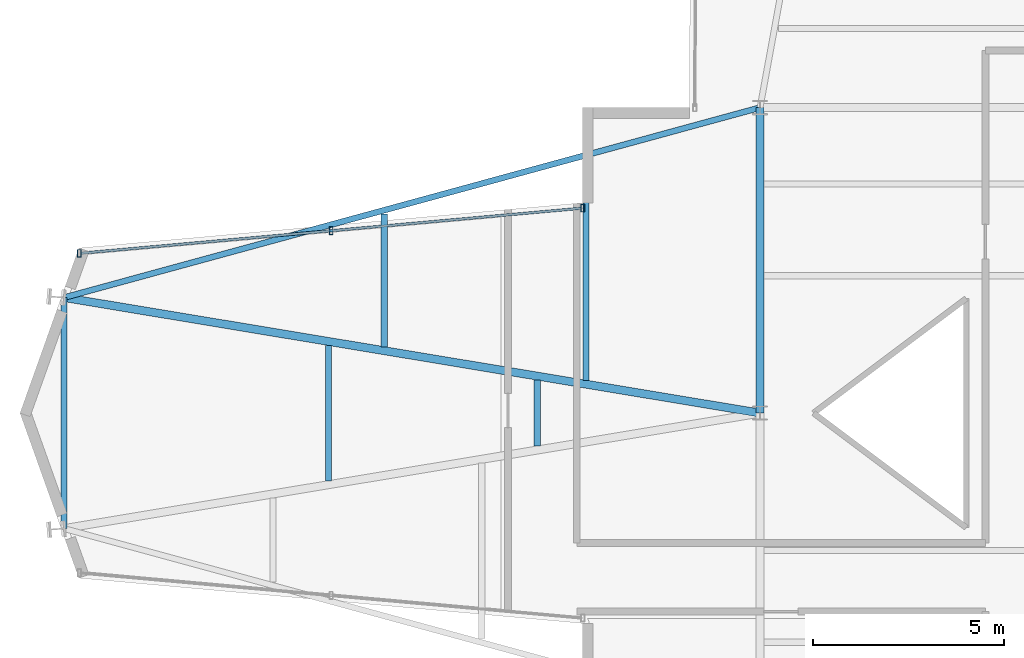
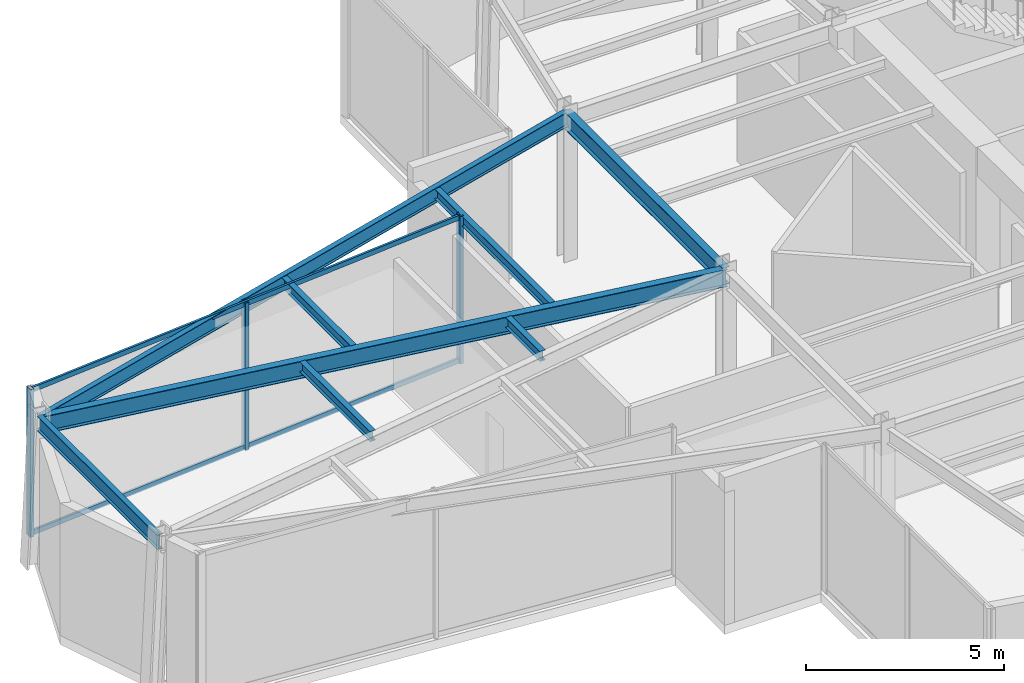
# One storey, part 4 of 14: 8 beams, 5 members, 1 element without a shape of its own.
"""IFC4 building model written with IfcOpenShell, lengths in metres."""

from ifc_helpers import new_model, si_unit, direction, frame, origin, origin_2d, place, context, subcontext, project, spatial, hollow_rectangle, i_section, extrude, material, layer, layer_set, material_profile, profile_set, type_object, element, aggregate, save


model = new_model("IFC4")

# Units and contexts
model_context = context("Model", 3, precision=1e-05, world=origin(), true_north=direction((0.0, 1.0)))
body_context = subcontext(model_context, "Body", "Model", "MODEL_VIEW")
ifc_project = project(units=[si_unit("LENGTHUNIT", "METRE"), si_unit("AREAUNIT", "SQUARE_METRE"), si_unit("VOLUMEUNIT", "CUBIC_METRE"), si_unit("PLANEANGLEUNIT", "RADIAN"), si_unit("MASSUNIT", "GRAM", prefix="KILO")], contexts=[model_context])

# Site, building, storey
site_placement = place(None, origin())
site = spatial("IfcSite", under=ifc_project, at=site_placement, CompositionType="ELEMENT")
building_placement = place(site_placement, origin())
building = spatial("IfcBuilding", under=site, at=building_placement, Name="Veymaron Broadcast Tower", CompositionType="ELEMENT")
storey_placement = place(building_placement, frame((0.0, 0.0, 187.050048828125)))
storey = spatial("IfcBuildingStorey", under=building, at=storey_placement, Name="L43", CompositionType="ELEMENT", Elevation=187.050048828125)

# Beams
ifc_material_1 = material(Name="Structural steel ASTM A992 Gr 50", Category="steel")
ifc_material_profile_1 = material_profile(ifc_material_1, i_section(OverallWidth=0.2099609375, OverallDepth=0.537109375, WebThickness=0.010986328125, FlangeThickness=0.017333984375, at=origin_2d()), Name="W530X101")
ifc_profile_set_1 = profile_set([ifc_material_profile_1], Name="Structural steel ASTM A992 Gr 50")
beam_type_1 = type_object("IfcBeamType", Name="BM-FG3", PredefinedType="BEAM", material=ifc_profile_set_1)
beam_1_placement = place(storey_placement, frame((31.199951171875, 24.0, 4.271484375), z_axis=(0.0, 1.0, 0.0), x_axis=(-1.0, 0.0, 0.0)))
element("IfcBeam", 1, at=beam_1_placement, inside=storey, type_object=beam_type_1, Name="L43 primary structural floor girder", PredefinedType="BEAM", context=body_context, shape_type="SweptSolid", body=[
    extrude(i_section(OverallWidth=0.2099609375, OverallDepth=0.537109375, WebThickness=0.010986328125, FlangeThickness=0.017333984375, at=origin_2d()), origin(), (0.0, 0.0, 1.0), 8.0),
])
beam_2_placement = place(storey_placement, frame((12.97509765625, 27.02490234375, 4.271484375), z_axis=(0.986504066629, -0.163736759843, 0.0), x_axis=(0.163736759843, 0.986504066629, 0.0)))
element("IfcBeam", 2, at=beam_2_placement, inside=storey, type_object=beam_type_1, Name="L43 primary structural floor girder", PredefinedType="BEAM", context=body_context, shape_type="SweptSolid", body=[
    extrude(i_section(OverallWidth=0.2099609375, OverallDepth=0.537109375, WebThickness=0.010986328125, FlangeThickness=0.017333984375, at=origin_2d()), origin(), (0.0, 0.0, 1.0), 18.47412109375),
])
ifc_material_profile_2 = material_profile(ifc_material_1, i_section(OverallWidth=0.1650390625, OverallDepth=0.31005859375, WebThickness=0.005859375, FlangeThickness=0.009765625, at=origin_2d()), Name="W310X39")
ifc_profile_set_2 = profile_set([ifc_material_profile_2], Name="Structural steel ASTM A992 Gr 50")
beam_type_2 = type_object("IfcBeamType", Name="BM-JS3", PredefinedType="JOIST", material=ifc_profile_set_2)
beam_3_placement = place(storey_placement, frame((19.900390625, 22.224609375, 4.385009765625), z_axis=(0.0, 1.0, 0.0), x_axis=(-1.0, 0.0, 0.0)))
element("IfcBeam", 3, at=beam_3_placement, inside=storey, type_object=beam_type_2, Name="L43 Arm-A secondary joist 1M", PredefinedType="JOIST", context=body_context, shape_type="SweptSolid", body=[
    extrude(i_section(OverallWidth=0.1650390625, OverallDepth=0.31005859375, WebThickness=0.005859375, FlangeThickness=0.009765625, at=origin_2d()), origin(), (0.0, 0.0, 1.0), 3.55078125),
])
beam_4_placement = place(storey_placement, frame((21.3583984375, 25.7333984375, 4.385009765625), z_axis=(0.0, 1.0, 0.0), x_axis=(-1.0, 0.0, 0.0)))
element("IfcBeam", 4, at=beam_4_placement, inside=storey, type_object=beam_type_2, Name="L43 Arm-A secondary joist 1N", PredefinedType="JOIST", context=body_context, shape_type="SweptSolid", body=[
    extrude(i_section(OverallWidth=0.1650390625, OverallDepth=0.31005859375, WebThickness=0.005859375, FlangeThickness=0.009765625, at=origin_2d()), origin(), (0.0, 0.0, 1.0), 3.47998046875),
])
beam_5_placement = place(storey_placement, frame((25.367919921875, 23.132080078125, 4.385009765625), z_axis=(0.0, 1.0, 0.0), x_axis=(-1.0, 0.0, 0.0)))
element("IfcBeam", 5, at=beam_5_placement, inside=storey, type_object=beam_type_2, Name="L43 Arm-A secondary joist 2M", PredefinedType="JOIST", context=body_context, shape_type="SweptSolid", body=[
    extrude(i_section(OverallWidth=0.1650390625, OverallDepth=0.31005859375, WebThickness=0.005859375, FlangeThickness=0.009765625, at=origin_2d()), origin(), (0.0, 0.0, 1.0), 1.73583984375),
])
beam_6_placement = place(storey_placement, frame((26.643798828125, 24.856201171875, 4.385009765625), z_axis=(0.0, 1.0, 0.0), x_axis=(-1.0, 0.0, 0.0)))
element("IfcBeam", 6, at=beam_6_placement, inside=storey, type_object=beam_type_2, Name="L43 Arm-A secondary joist 2N", PredefinedType="JOIST", context=body_context, shape_type="SweptSolid", body=[
    extrude(i_section(OverallWidth=0.1650390625, OverallDepth=0.31005859375, WebThickness=0.005859375, FlangeThickness=0.009765625, at=origin_2d()), origin(), (0.0, 0.0, 1.0), 5.800048828125),
])
ifc_material_profile_3 = material_profile(ifc_material_1, i_section(OverallWidth=0.154052734375, OverallDepth=0.458984375, WebThickness=0.009033203125, FlangeThickness=0.015380859375, at=origin_2d()), Name="W460X68")
ifc_profile_set_3 = profile_set([ifc_material_profile_3], Name="Structural steel ASTM A992 Gr 50")
beam_type_3 = type_object("IfcBeamType", Name="BM-SP2", PredefinedType="SPANDREL", material=ifc_profile_set_3)
beam_7_placement = place(storey_placement, frame((12.97509765625, 27.02490234375, 4.310546875), z_axis=(0.964700867806, 0.263348126353, 0.0), x_axis=(-0.263348126353, 0.964700867806, 0.0)))
element("IfcBeam", 7, at=beam_7_placement, inside=storey, type_object=beam_type_3, Name="L43 primary structural floor girder", PredefinedType="SPANDREL", context=body_context, shape_type="SweptSolid", body=[
    extrude(i_section(OverallWidth=0.154052734375, OverallDepth=0.458984375, WebThickness=0.009033203125, FlangeThickness=0.015380859375, at=origin_2d()), origin(), (0.0, 0.0, 1.0), 18.8916015625),
])
beam_8_placement = place(storey_placement, frame((12.97509765625, 20.97509765625, 4.310546875), z_axis=(0.0, 1.0, 0.0), x_axis=(-1.0, 0.0, 0.0)))
element("IfcBeam", 8, at=beam_8_placement, inside=storey, type_object=beam_type_3, Name="L43 primary structural floor girder", PredefinedType="SPANDREL", context=body_context, shape_type="SweptSolid", body=[
    extrude(i_section(OverallWidth=0.154052734375, OverallDepth=0.458984375, WebThickness=0.009033203125, FlangeThickness=0.015380859375, at=origin_2d()), origin(), (0.0, 0.0, 1.0), 6.0498046875),
])

# Curtain wall, members
ifc_material_2 = material(Name="Anodised aluminium AA 6063-T6 and laminated low-E dark glass", Category="aluminium")
ifc_layer = layer(ifc_material_2, 0.179931640625)
ifc_layer_set = layer_set([ifc_layer], Name="Anodised aluminium AA 6063-T6 and laminated low-E dark glass")
curtain_wall_type = type_object("IfcCurtainWallType", Name="CW-SYS-04", PredefinedType="NOTDEFINED", material=ifc_layer_set)
curtain_wall_placement = place(storey_placement, origin())
curtain_wall = element("IfcCurtainWall", 9, at=curtain_wall_placement, inside=storey, type_object=curtain_wall_type, Name="L43 dark-glass curtain wall CW-L43-E11-1", PredefinedType="NOTDEFINED")
ifc_material_3 = material(Name="Anodised aluminium AA 6063-T6", Category="aluminium")
ifc_material_profile_4 = material_profile(ifc_material_3, hollow_rectangle(XDim=0.10009765625, YDim=0.199951171875, WallThickness=0.010009765625, at=origin_2d()), Name="RHS200X100X10")
ifc_profile_set_4 = profile_set([ifc_material_profile_4], Name="Anodised aluminium AA 6063-T6")
member_type_1 = type_object("IfcMemberType", Name="CW-MUL-01", PredefinedType="MULLION", material=ifc_profile_set_4)
member_1_placement = place(storey_placement, frame((26.55810546875, 29.36767578125, 0.0), z_axis=(0.0, 0.0, 1.0), x_axis=(1.0, 0.0, 0.0)))
member_1 = element("IfcMember", 10, at=member_1_placement, type_object=member_type_1, Name="CW-L43-E11-1 mullion 0", PredefinedType="MULLION", context=body_context, shape_type="SweptSolid", body=[
    extrude(hollow_rectangle(XDim=0.10009765625, YDim=0.199951171875, WallThickness=0.010009765625, at=origin_2d()), origin(), (0.0, 0.0, 1.0), 4.5400390625),
])
member_2_placement = place(storey_placement, frame((19.96533203125, 28.775146484375, 0.0), z_axis=(0.0, 0.0, 1.0), x_axis=(1.0, 0.0, 0.0)))
member_2 = element("IfcMember", 11, at=member_2_placement, type_object=member_type_1, Name="CW-L43-E11-1 mullion 1", PredefinedType="MULLION", context=body_context, shape_type="SweptSolid", body=[
    extrude(hollow_rectangle(XDim=0.10009765625, YDim=0.199951171875, WallThickness=0.010009765625, at=origin_2d()), origin(), (0.0, 0.0, 1.0), 4.5400390625),
])
member_3_placement = place(storey_placement, frame((13.37255859375, 28.1826171875, 0.0), z_axis=(0.0, 0.0, 1.0), x_axis=(1.0, 0.0, 0.0)))
member_3 = element("IfcMember", 12, at=member_3_placement, type_object=member_type_1, Name="CW-L43-E11-1 mullion 2", PredefinedType="MULLION", context=body_context, shape_type="SweptSolid", body=[
    extrude(hollow_rectangle(XDim=0.10009765625, YDim=0.199951171875, WallThickness=0.010009765625, at=origin_2d()), origin(), (0.0, 0.0, 1.0), 4.5400390625),
])
ifc_material_profile_5 = material_profile(ifc_material_3, hollow_rectangle(XDim=0.06494140625, YDim=0.14990234375, WallThickness=0.00390625, at=origin_2d()), Name="AL150X65X4")
ifc_profile_set_5 = profile_set([ifc_material_profile_5], Name="Anodised aluminium AA 6063-T6")
member_type_2 = type_object("IfcMemberType", Name="CW-TRN-01", PredefinedType="USERDEFINED", material=ifc_profile_set_5)
member_4_placement = place(storey_placement, frame((26.50830078125, 29.363037109375, 0.070068359375), z_axis=(-0.995986042977, -0.089508671064, 0.0), x_axis=(0.089508671064, -0.995986042977, 0.0)))
member_4 = element("IfcMember", 13, at=member_4_placement, type_object=member_type_2, Name="CW-L43-E11-1 transom B", ObjectType="TRANSOM", PredefinedType="USERDEFINED", context=body_context, shape_type="SweptSolid", body=[
    extrude(hollow_rectangle(XDim=0.06494140625, YDim=0.14990234375, WallThickness=0.00390625, at=origin_2d()), origin(), (0.0, 0.0, 1.0), 13.138671875),
])
member_5_placement = place(storey_placement, frame((26.50830078125, 29.363037109375, 4.469970703125), z_axis=(-0.995986042977, -0.089508671064, 0.0), x_axis=(0.089508671064, -0.995986042977, 0.0)))
member_5 = element("IfcMember", 14, at=member_5_placement, type_object=member_type_2, Name="CW-L43-E11-1 transom T", ObjectType="TRANSOM", PredefinedType="USERDEFINED", context=body_context, shape_type="SweptSolid", body=[
    extrude(hollow_rectangle(XDim=0.06494140625, YDim=0.14990234375, WallThickness=0.00390625, at=origin_2d()), origin(), (0.0, 0.0, 1.0), 13.138671875),
])
aggregate(curtain_wall, [member_1, member_2, member_3, member_4, member_5])

save(model, "model.ifc")
